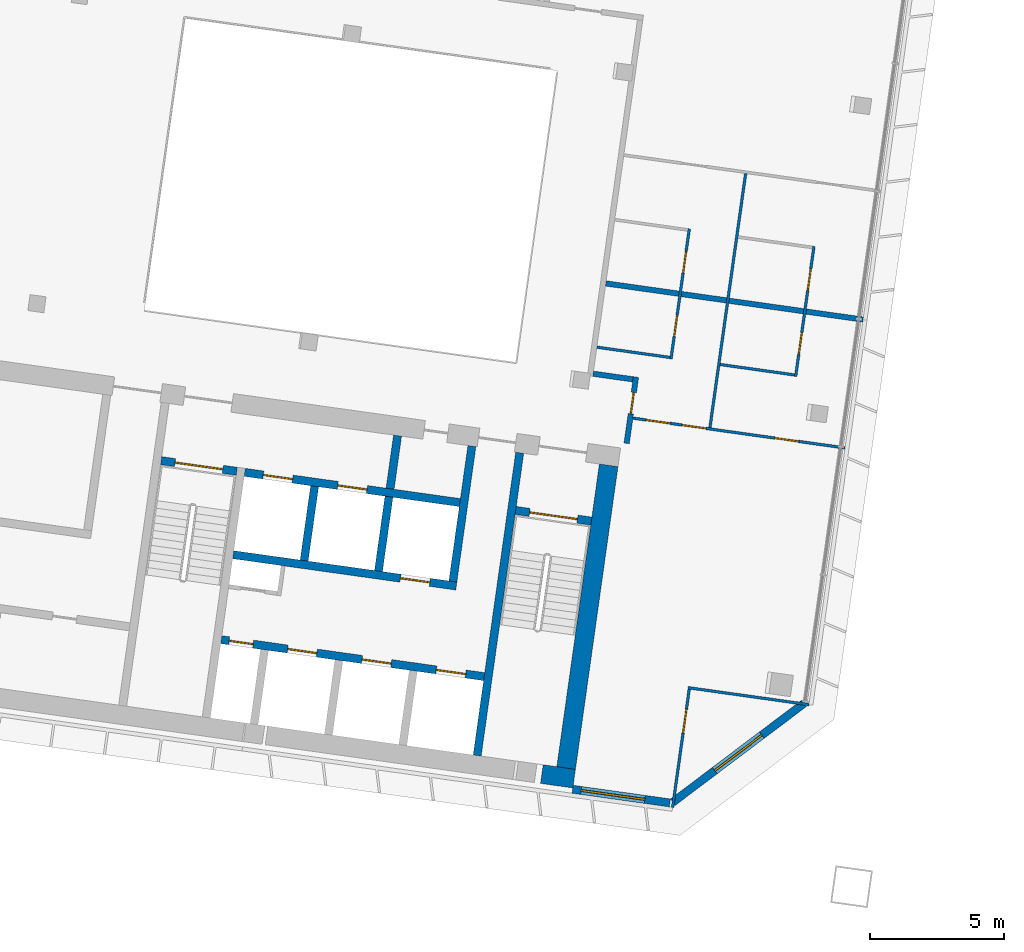
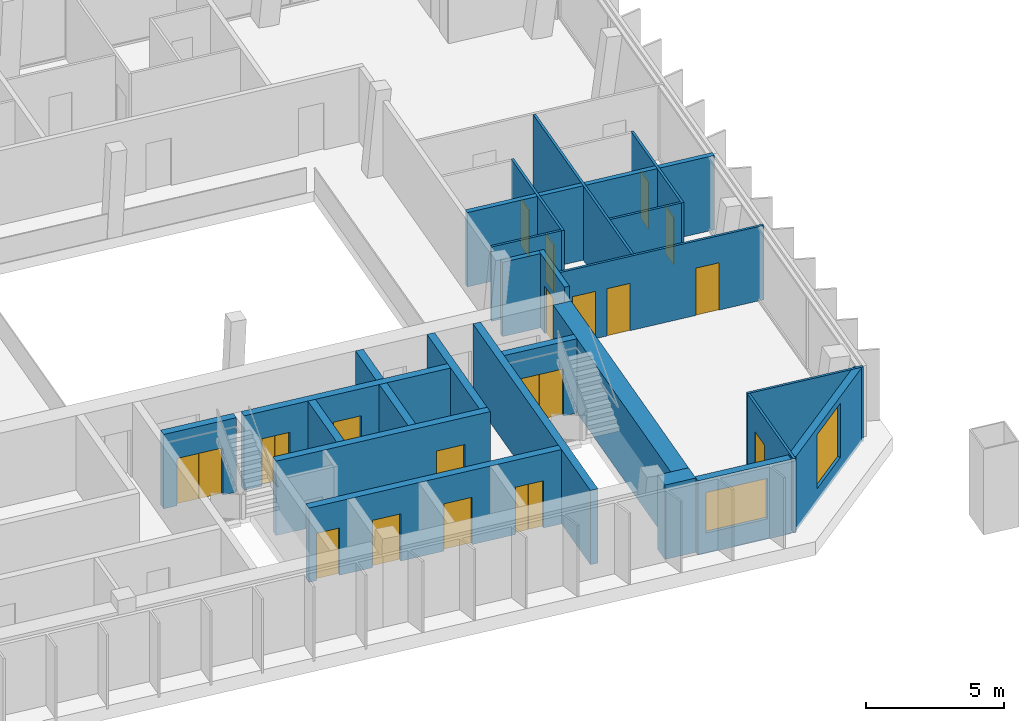
# One storey, part 17 of 29: 25 walls, 18 doors, 2 windows, 20 openings.
"""IFC4 building model written with IfcOpenShell, lengths in metres."""

from ifc_helpers import new_model, si_unit, direction, frame, frame_2d, origin, place, context, subcontext, project, spatial, rectangle, extrude, material, layer, layer_set, type_object, element, fill, save


model = new_model("IFC4")

# Units and contexts
model_context = context("Model", 3, precision=1e-05, world=origin(), true_north=direction((0.0, 1.0)))
body_context = subcontext(model_context, "Body", "Model", "MODEL_VIEW")
ifc_project = project(units=[si_unit("LENGTHUNIT", "METRE"), si_unit("AREAUNIT", "SQUARE_METRE"), si_unit("VOLUMEUNIT", "CUBIC_METRE"), si_unit("PLANEANGLEUNIT", "RADIAN"), si_unit("MASSUNIT", "GRAM", prefix="KILO")], contexts=[model_context])

# Site, building, storey
site_placement = place(None, origin())
site = spatial("IfcSite", under=ifc_project, at=site_placement, CompositionType="ELEMENT")
building_placement = place(site_placement, origin())
building = spatial("IfcBuilding", under=site, at=building_placement, Name="Mirante Cascada Hotel Towers", CompositionType="ELEMENT")
storey_placement = place(building_placement, frame((0.0, 0.0, 206.8)))
storey = spatial("IfcBuildingStorey", under=building, at=storey_placement, Name="L49", CompositionType="ELEMENT", Elevation=206.8)

# Walls
ifc_material_1 = material(Name="Fire-rated plasterboard on metal studs")
ifc_layer_1 = layer(ifc_material_1, 0.2)
ifc_layer_set_1 = layer_set([ifc_layer_1], Name="Compartment wall 200 EI 120")
wall_type_1 = type_object("IfcWallType", Name="Compartment wall 200 EI 120", PredefinedType="PARTITIONING", material=ifc_layer_set_1)
wall_1_placement = place(storey_placement, frame((-36.5138, -4.518, 0.0), z_axis=(0.0, 0.0, 1.0), x_axis=(0.9902735, -0.1391343, 0.0)))
element("IfcWall", 1, at=wall_1_placement, inside=storey, type_object=wall_type_1, Name="Wall 1-L49-03", PredefinedType="PARTITIONING", context=body_context, shape_type="SweptSolid", body=[
    extrude(rectangle(XDim=1.5, YDim=0.2, at=frame_2d((0.75, 0.0))), origin(), (0.0, 0.0, 1.0), 3.3),
])
wall_2_placement = place(storey_placement, frame((-26.4482, -2.4992, 0.0), z_axis=(0.0, 0.0, 1.0), x_axis=(-0.990267, 0.1391808, 0.0)))
element("IfcWall", 2, at=wall_2_placement, inside=storey, type_object=wall_type_1, Name="Wall 1-L49-08", PredefinedType="PARTITIONING", context=body_context, shape_type="SweptSolid", body=[
    extrude(rectangle(XDim=9.6867, YDim=0.2, at=frame_2d((4.8434, 0.0))), origin(), (0.0, 0.0, 1.0), 3.3),
])

# Wall, opening, door
wall_3_placement = place(storey_placement, frame((-35.2634, -7.1173, 0.0), z_axis=(0.0, 0.0, 1.0), x_axis=(0.1391586, 0.9902701, 0.0)))
wall_3 = element("IfcWall", 3, at=wall_3_placement, inside=storey, type_object=wall_type_1, Name="Wall 1-L49-32", PredefinedType="PARTITIONING", context=body_context, shape_type="SweptSolid", body=[
    extrude(rectangle(XDim=2.5, YDim=0.2, at=frame_2d((1.25, 0.0))), origin(), (0.0, 0.0, 1.0), 3.3),
])
opening_1_placement = place(wall_3_placement, frame((1.1167, 0.0, 0.0)))
opening_1 = element("IfcOpeningElement", 4, at=opening_1_placement, cuts=wall_3, Name="Opening D1-L49-25", PredefinedType="OPENING", context=body_context, shape_type="SweptSolid", body=[
    extrude(rectangle(XDim=0.8, YDim=2.1, at=frame_2d((0.4, 1.05))), frame((0.0, 0.1, 0.0), z_axis=(0.0, -1.0, 0.0), x_axis=(1.0, 0.0, 0.0)), (0.0, 0.0, 1.0), 0.2),
])
ifc_material_2 = material(Name="Fire-rated timber door leaf", Category="wood")
door_type_1 = type_object("IfcDoorType", Name="Bathroom door DG4 800x2100 EI 60", OperationType="SINGLE_SWING_LEFT", PredefinedType="DOOR", material=ifc_material_2)
door_1_placement = place(opening_1_placement, origin())
door_1 = element("IfcDoor", 5, at=door_1_placement, inside=storey, type_object=door_type_1, Name="Door D1-L49-25", OperationType="SINGLE_SWING_LEFT", OverallHeight=2.1, OverallWidth=0.8, PredefinedType="DOOR", context=body_context, shape_type="SweptSolid", body=[
    extrude(rectangle(XDim=0.8, YDim=2.1, at=frame_2d((0.4, 1.05))), frame((0.0, 0.025, 0.0), z_axis=(0.0, -1.0, 0.0), x_axis=(1.0, 0.0, 0.0)), (0.0, 0.0, 1.0), 0.05),
])
fill(opening_1, door_1)

# Walls
ifc_material_3 = material(Name="Masonry block", Category="masonry")
ifc_layer_2 = layer(ifc_material_3, 0.3)
ifc_layer_set_2 = layer_set([ifc_layer_2], Name="Core wall 300 block EI 120")
wall_type_2 = type_object("IfcWallType", Name="Core wall 300 block EI 120", PredefinedType="PARTITIONING", material=ifc_layer_set_2)
wall_4_placement = place(storey_placement, frame((-44.0843, -8.8061, 0.0), z_axis=(0.0, 0.0, 1.0), x_axis=(0.1391951, 0.990265, 0.0)))
element("IfcWall", 6, at=wall_4_placement, inside=storey, type_object=wall_type_2, Name="Core wall partition T1 L49 1", PredefinedType="PARTITIONING", context=body_context, shape_type="SweptSolid", body=[
    extrude(rectangle(XDim=2.0001, YDim=0.3, at=frame_2d((1.0001, 0.0))), origin(), (0.0, 0.0, 1.0), 3.3),
])
ifc_material_4 = material(Name="Plasterboard on metal studs")
ifc_layer_3 = layer(ifc_material_4, 0.1)
ifc_layer_set_3 = layer_set([ifc_layer_3], Name="Partition 100")
wall_type_3 = type_object("IfcWallType", Name="Partition 100", PredefinedType="PARTITIONING", material=ifc_layer_set_3)
wall_5_placement = place(storey_placement, frame((-32.9719, -16.2248, 0.0), z_axis=(0.0, 0.0, 1.0), x_axis=(0.9902661, -0.1391871, 0.0)))
element("IfcWall", 7, at=wall_5_placement, inside=storey, type_object=wall_type_3, Name="Wall 1-L49-01", PredefinedType="PARTITIONING", context=body_context, shape_type="SweptSolid", body=[
    extrude(rectangle(XDim=4.55, YDim=0.1, at=frame_2d((2.275, 0.0))), origin(), (0.0, 0.0, 1.0), 3.3),
])

# Wall, openings, doors
wall_6_placement = place(storey_placement, frame((-27.1209, -7.2854, 0.0), z_axis=(0.0, 0.0, 1.0), x_axis=(-0.9902685, 0.1391702, 0.0)))
wall_6 = element("IfcWall", 8, at=wall_6_placement, inside=storey, type_object=wall_type_3, Name="Wall 1-L49-02", PredefinedType="PARTITIONING", context=body_context, shape_type="SweptSolid", body=[
    extrude(rectangle(XDim=7.9866, YDim=0.1, at=frame_2d((3.9933, 0.0))), origin(), (0.0, 0.0, 1.0), 3.3),
])
opening_2_placement = place(wall_6_placement, frame((1.75, 0.0, 0.0)))
opening_2 = element("IfcOpeningElement", 9, at=opening_2_placement, cuts=wall_6, Name="Opening D1-L49-01", PredefinedType="OPENING", context=body_context, shape_type="SweptSolid", body=[
    extrude(rectangle(XDim=0.9, YDim=2.1, at=frame_2d((0.45, 1.05))), frame((0.0, 0.05, 0.0), z_axis=(0.0, -1.0, 0.0), x_axis=(1.0, 0.0, 0.0)), (0.0, 0.0, 1.0), 0.1),
])
opening_3_placement = place(wall_6_placement, frame((5.2434, 0.0, 0.0)))
opening_3 = element("IfcOpeningElement", 10, at=opening_3_placement, cuts=wall_6, Name="Opening D1-L49-02", PredefinedType="OPENING", context=body_context, shape_type="SweptSolid", body=[
    extrude(rectangle(XDim=0.9, YDim=2.1, at=frame_2d((0.45, 1.05))), frame((0.0, 0.05, 0.0), z_axis=(0.0, -1.0, 0.0), x_axis=(1.0, 0.0, 0.0)), (0.0, 0.0, 1.0), 0.1),
])
opening_4_placement = place(wall_6_placement, frame((6.59, 0.0, 0.0)))
opening_4 = element("IfcOpeningElement", 11, at=opening_4_placement, cuts=wall_6, Name="Opening D1-L49-03", PredefinedType="OPENING", context=body_context, shape_type="SweptSolid", body=[
    extrude(rectangle(XDim=0.9, YDim=2.1, at=frame_2d((0.45, 1.05))), frame((0.0, 0.05, 0.0), z_axis=(0.0, -1.0, 0.0), x_axis=(1.0, 0.0, 0.0)), (0.0, 0.0, 1.0), 0.1),
])
ifc_material_5 = material(Name="Timber door leaf", Category="wood")
door_type_2 = type_object("IfcDoorType", Name="Room door DG3 900x2100", OperationType="SINGLE_SWING_LEFT", PredefinedType="DOOR", material=ifc_material_5)
door_2_placement = place(opening_2_placement, origin())
door_2 = element("IfcDoor", 12, at=door_2_placement, inside=storey, type_object=door_type_2, Name="Door D1-L49-01", OperationType="SINGLE_SWING_LEFT", OverallHeight=2.1, OverallWidth=0.9, PredefinedType="DOOR", context=body_context, shape_type="SweptSolid", body=[
    extrude(rectangle(XDim=0.9, YDim=2.1, at=frame_2d((0.45, 1.05))), frame((0.0, 0.025, 0.0), z_axis=(0.0, -1.0, 0.0), x_axis=(1.0, 0.0, 0.0)), (0.0, 0.0, 1.0), 0.05),
])
fill(opening_2, door_2)
door_3_placement = place(opening_3_placement, origin())
door_3 = element("IfcDoor", 13, at=door_3_placement, inside=storey, type_object=door_type_2, Name="Door D1-L49-02", OperationType="SINGLE_SWING_LEFT", OverallHeight=2.1, OverallWidth=0.9, PredefinedType="DOOR", context=body_context, shape_type="SweptSolid", body=[
    extrude(rectangle(XDim=0.9, YDim=2.1, at=frame_2d((0.45, 1.05))), frame((0.0, 0.025, 0.0), z_axis=(0.0, -1.0, 0.0), x_axis=(1.0, 0.0, 0.0)), (0.0, 0.0, 1.0), 0.05),
])
fill(opening_3, door_3)
door_4_placement = place(opening_4_placement, origin())
door_4 = element("IfcDoor", 14, at=door_4_placement, inside=storey, type_object=door_type_2, Name="Door D1-L49-03", OperationType="SINGLE_SWING_LEFT", OverallHeight=2.1, OverallWidth=0.9, PredefinedType="DOOR", context=body_context, shape_type="SweptSolid", body=[
    extrude(rectangle(XDim=0.9, YDim=2.1, at=frame_2d((0.45, 1.05))), frame((0.0, 0.025, 0.0), z_axis=(0.0, -1.0, 0.0), x_axis=(1.0, 0.0, 0.0)), (0.0, 0.0, 1.0), 0.05),
])
fill(opening_4, door_4)

# Walls
wall_7_placement = place(storey_placement, frame((-29.0038, -4.5636, 0.0), z_axis=(0.0, 0.0, 1.0), x_axis=(-0.990267, 0.139181, 0.0)))
element("IfcWall", 15, at=wall_7_placement, inside=storey, type_object=wall_type_3, Name="Wall 1-L49-06", PredefinedType="PARTITIONING", context=body_context, shape_type="SweptSolid", body=[
    extrude(rectangle(XDim=2.8, YDim=0.1, at=frame_2d((1.4, 0.0))), origin(), (0.0, 0.0, 1.0), 3.3),
])
wall_8_placement = place(storey_placement, frame((-36.3747, -3.5277, 0.0), z_axis=(0.0, 0.0, 1.0), x_axis=(0.9902698, -0.1391607, 0.0)))
element("IfcWall", 16, at=wall_8_placement, inside=storey, type_object=wall_type_3, Name="Wall 1-L49-07", PredefinedType="PARTITIONING", context=body_context, shape_type="SweptSolid", body=[
    extrude(rectangle(XDim=2.7501, YDim=0.1, at=frame_2d((1.3751, 0.0))), origin(), (0.0, 0.0, 1.0), 3.3),
])

# Wall, openings, doors
wall_9_placement = place(storey_placement, frame((-28.2793, 0.2322, 0.0), z_axis=(0.0, 0.0, 1.0), x_axis=(-0.1391638, -0.9902694, 0.0)))
wall_9 = element("IfcWall", 17, at=wall_9_placement, inside=storey, type_object=wall_type_3, Name="Wall 1-L49-27", PredefinedType="PARTITIONING", context=body_context, shape_type="SweptSolid", body=[
    extrude(rectangle(XDim=4.9, YDim=0.1, at=frame_2d((2.45, 0.0))), origin(), (0.0, 0.0, 1.0), 3.3),
])
opening_5_placement = place(wall_9_placement, frame((3.25, 0.0, 0.0)))
opening_5 = element("IfcOpeningElement", 18, at=opening_5_placement, cuts=wall_9, Name="Opening D1-L49-19", PredefinedType="OPENING", context=body_context, shape_type="SweptSolid", body=[
    extrude(rectangle(XDim=0.8, YDim=2.1, at=frame_2d((0.4, 1.05))), frame((0.0, 0.05, 0.0), z_axis=(0.0, -1.0, 0.0), x_axis=(1.0, 0.0, 0.0)), (0.0, 0.0, 1.0), 0.1),
])
opening_6_placement = place(wall_9_placement, frame((0.85, 0.0, 0.0)))
opening_6 = element("IfcOpeningElement", 19, at=opening_6_placement, cuts=wall_9, Name="Opening D1-L49-20", PredefinedType="OPENING", context=body_context, shape_type="SweptSolid", body=[
    extrude(rectangle(XDim=0.8, YDim=2.1, at=frame_2d((0.4, 1.05))), frame((0.0, 0.05, 0.0), z_axis=(0.0, -1.0, 0.0), x_axis=(1.0, 0.0, 0.0)), (0.0, 0.0, 1.0), 0.1),
])
ifc_material_6 = material(Name="Timber door leaf", Category="wood")
door_type_3 = type_object("IfcDoorType", Name="Bathroom door DG4 800x2100", OperationType="SINGLE_SWING_LEFT", PredefinedType="DOOR", material=ifc_material_6)
door_5_placement = place(opening_5_placement, frame((0.8, 0.0, 0.0), z_axis=(0.0, 0.0, 1.0), x_axis=(-1.0, 0.0, 0.0)))
door_5 = element("IfcDoor", 20, at=door_5_placement, inside=storey, type_object=door_type_3, Name="Door D1-L49-19", OperationType="SINGLE_SWING_RIGHT", OverallHeight=2.1, OverallWidth=0.8, PredefinedType="DOOR", context=body_context, shape_type="SweptSolid", body=[
    extrude(rectangle(XDim=0.8, YDim=2.1, at=frame_2d((0.4, 1.05))), frame((0.0, 0.025, 0.0), z_axis=(0.0, -1.0, 0.0), x_axis=(1.0, 0.0, 0.0)), (0.0, 0.0, 1.0), 0.05),
])
fill(opening_5, door_5)
door_6_placement = place(opening_6_placement, frame((0.8, 0.0, 0.0), z_axis=(0.0, 0.0, 1.0), x_axis=(-1.0, 0.0, 0.0)))
door_6 = element("IfcDoor", 21, at=door_6_placement, inside=storey, type_object=door_type_3, Name="Door D1-L49-20", OperationType="SINGLE_SWING_RIGHT", OverallHeight=2.1, OverallWidth=0.8, PredefinedType="DOOR", context=body_context, shape_type="SweptSolid", body=[
    extrude(rectangle(XDim=0.8, YDim=2.1, at=frame_2d((0.4, 1.05))), frame((0.0, 0.025, 0.0), z_axis=(0.0, -1.0, 0.0), x_axis=(1.0, 0.0, 0.0)), (0.0, 0.0, 1.0), 0.05),
])
fill(opening_6, door_6)

# Wall, opening, door
wall_10_placement = place(storey_placement, frame((-33.5487, -20.688, 0.0), z_axis=(0.0, 0.0, 1.0), x_axis=(0.1391684, 0.9902687, 0.0)))
wall_10 = element("IfcWall", 22, at=wall_10_placement, inside=storey, type_object=wall_type_3, Name="Wall 1-L49-28", PredefinedType="PARTITIONING", context=body_context, shape_type="SweptSolid", body=[
    extrude(rectangle(XDim=4.45, YDim=0.1, at=frame_2d((2.225, 0.0))), origin(), (0.0, 0.0, 1.0), 3.3),
])
opening_7_placement = place(wall_10_placement, frame((2.8, 0.0, 0.0)))
opening_7 = element("IfcOpeningElement", 23, at=opening_7_placement, cuts=wall_10, Name="Opening D1-L49-21", PredefinedType="OPENING", context=body_context, shape_type="SweptSolid", body=[
    extrude(rectangle(XDim=0.9, YDim=2.1, at=frame_2d((0.45, 1.05))), frame((0.0, 0.05, 0.0), z_axis=(0.0, -1.0, 0.0), x_axis=(1.0, 0.0, 0.0)), (0.0, 0.0, 1.0), 0.1),
])
door_7_placement = place(opening_7_placement, frame((0.9, 0.0, 0.0), z_axis=(0.0, 0.0, 1.0), x_axis=(-1.0, 0.0, 0.0)))
door_7 = element("IfcDoor", 24, at=door_7_placement, inside=storey, type_object=door_type_2, Name="Door D1-L49-21", OperationType="SINGLE_SWING_RIGHT", OverallHeight=2.1, OverallWidth=0.9, PredefinedType="DOOR", context=body_context, shape_type="SweptSolid", body=[
    extrude(rectangle(XDim=0.9, YDim=2.1, at=frame_2d((0.45, 1.05))), frame((0.0, 0.025, 0.0), z_axis=(0.0, -1.0, 0.0), x_axis=(1.0, 0.0, 0.0)), (0.0, 0.0, 1.0), 0.05),
])
fill(opening_7, door_7)

# Wall
wall_11_placement = place(storey_placement, frame((-32.1577, -6.5271, 0.0), z_axis=(0.0, 0.0, 1.0), x_axis=(0.1391717, 0.9902683, 0.0)))
element("IfcWall", 25, at=wall_11_placement, inside=storey, type_object=wall_type_3, Name="Wall 1-L49-30", PredefinedType="PARTITIONING", context=body_context, shape_type="SweptSolid", body=[
    extrude(rectangle(XDim=9.5666, YDim=0.1, at=frame_2d((4.7833, 0.0))), origin(), (0.0, 0.0, 1.0), 3.3),
])

# Wall, openings, doors
wall_12_placement = place(storey_placement, frame((-32.9269, 0.8854, 0.0), z_axis=(0.0, 0.0, 1.0), x_axis=(-0.1391838, -0.9902666, 0.0)))
wall_12 = element("IfcWall", 26, at=wall_12_placement, inside=storey, type_object=wall_type_3, Name="Wall 1-L49-31", PredefinedType="PARTITIONING", context=body_context, shape_type="SweptSolid", body=[
    extrude(rectangle(XDim=4.9, YDim=0.1, at=frame_2d((2.45, 0.0))), origin(), (0.0, 0.0, 1.0), 3.3),
])
opening_8_placement = place(wall_12_placement, frame((3.25, 0.0, 0.0)))
opening_8 = element("IfcOpeningElement", 27, at=opening_8_placement, cuts=wall_12, Name="Opening D1-L49-23", PredefinedType="OPENING", context=body_context, shape_type="SweptSolid", body=[
    extrude(rectangle(XDim=0.8, YDim=2.1, at=frame_2d((0.4, 1.05))), frame((0.0, 0.05, 0.0), z_axis=(0.0, -1.0, 0.0), x_axis=(1.0, 0.0, 0.0)), (0.0, 0.0, 1.0), 0.1),
])
opening_9_placement = place(wall_12_placement, frame((0.85, 0.0, 0.0)))
opening_9 = element("IfcOpeningElement", 28, at=opening_9_placement, cuts=wall_12, Name="Opening D1-L49-24", PredefinedType="OPENING", context=body_context, shape_type="SweptSolid", body=[
    extrude(rectangle(XDim=0.8, YDim=2.1, at=frame_2d((0.4, 1.05))), frame((0.0, 0.05, 0.0), z_axis=(0.0, -1.0, 0.0), x_axis=(1.0, 0.0, 0.0)), (0.0, 0.0, 1.0), 0.1),
])
door_8_placement = place(opening_8_placement, frame((0.8, 0.0, 0.0), z_axis=(0.0, 0.0, 1.0), x_axis=(-1.0, 0.0, 0.0)))
door_8 = element("IfcDoor", 29, at=door_8_placement, inside=storey, type_object=door_type_3, Name="Door D1-L49-23", OperationType="SINGLE_SWING_RIGHT", OverallHeight=2.1, OverallWidth=0.8, PredefinedType="DOOR", context=body_context, shape_type="SweptSolid", body=[
    extrude(rectangle(XDim=0.8, YDim=2.1, at=frame_2d((0.4, 1.05))), frame((0.0, 0.025, 0.0), z_axis=(0.0, -1.0, 0.0), x_axis=(1.0, 0.0, 0.0)), (0.0, 0.0, 1.0), 0.05),
])
fill(opening_8, door_8)
door_9_placement = place(opening_9_placement, frame((0.8, 0.0, 0.0), z_axis=(0.0, 0.0, 1.0), x_axis=(-1.0, 0.0, 0.0)))
door_9 = element("IfcDoor", 30, at=door_9_placement, inside=storey, type_object=door_type_3, Name="Door D1-L49-24", OperationType="SINGLE_SWING_RIGHT", OverallHeight=2.1, OverallWidth=0.8, PredefinedType="DOOR", context=body_context, shape_type="SweptSolid", body=[
    extrude(rectangle(XDim=0.8, YDim=2.1, at=frame_2d((0.4, 1.05))), frame((0.0, 0.025, 0.0), z_axis=(0.0, -1.0, 0.0), x_axis=(1.0, 0.0, 0.0)), (0.0, 0.0, 1.0), 0.05),
])
fill(opening_9, door_9)

# Wall, opening, window
ifc_material_7 = material(Name="Precast concrete C40/50", Category="concrete")
ifc_layer_4 = layer(ifc_material_7, 0.3)
ifc_layer_set_4 = layer_set([ifc_layer_4], Name="Precast concrete C40/50 cladding wall 300")
wall_type_4 = type_object("IfcWallType", Name="Precast concrete C40/50 cladding wall 300", PredefinedType="STANDARD", material=ifc_layer_set_4)
wall_13_placement = place(storey_placement, frame((-33.6508, -20.5222, 0.0), z_axis=(0.0, 0.0, 1.0), x_axis=(-0.9902653, 0.1391925, 0.0)))
wall_13 = element("IfcWall", 31, at=wall_13_placement, inside=storey, type_object=wall_type_4, Name="Rear cladding wall T1 L49 1", PredefinedType="STANDARD", context=body_context, shape_type="SweptSolid", body=[
    extrude(rectangle(XDim=3.6626, YDim=0.3, at=frame_2d((1.8313, 0.0))), origin(), (0.0, 0.0, 1.0), 3.3),
])
opening_10_placement = place(wall_13_placement, frame((0.9408, 0.0, 0.9)))
opening_10 = element("IfcOpeningElement", 32, at=opening_10_placement, cuts=wall_13, Name="Opening W1-49-01", PredefinedType="OPENING", context=body_context, shape_type="SweptSolid", body=[
    extrude(rectangle(XDim=2.4, YDim=1.8, at=frame_2d((1.2, 0.9))), frame((0.0, 0.15, 0.0), z_axis=(0.0, -1.0, 0.0), x_axis=(1.0, 0.0, 0.0)), (0.0, 0.0, 1.0), 0.3),
])
ifc_material_8 = material(Name="Aluminium frame with clear double glazing", Category="aluminium")
window_type_1 = type_object("IfcWindowType", Name="Punched window 2400x1800", PartitioningType="DOUBLE_PANEL_VERTICAL", PredefinedType="WINDOW", material=ifc_material_8)
window_1_placement = place(opening_10_placement, origin())
window_1 = element("IfcWindow", 33, at=window_1_placement, inside=storey, type_object=window_type_1, Name="Window W1-49-01", OverallHeight=1.8, OverallWidth=2.4, PartitioningType="SINGLE_PANEL", PredefinedType="WINDOW", context=body_context, shape_type="SweptSolid", body=[
    extrude(rectangle(XDim=2.4, YDim=1.8, at=frame_2d((1.2, 0.9))), frame((0.0, 0.03, 0.0), z_axis=(0.0, -1.0, 0.0), x_axis=(1.0, 0.0, 0.0)), (0.0, 0.0, 1.0), 0.06),
])
fill(opening_10, window_1)

wall_14_placement = place(storey_placement, frame((-28.6557, -16.813, 0.0), z_axis=(0.0, 0.0, 1.0), x_axis=(-0.7986362, -0.6018141, 0.0)))
wall_14 = element("IfcWall", 34, at=wall_14_placement, inside=storey, type_object=wall_type_4, Name="Corner cladding wall T1 L49 inner rear", PredefinedType="STANDARD", context=body_context, shape_type="SweptSolid", body=[
    extrude(rectangle(XDim=6.1157, YDim=0.3, at=frame_2d((3.0578, 0.0))), origin(), (0.0, 0.0, 1.0), 3.3),
])
opening_11_placement = place(wall_14_placement, frame((1.9578, 0.0, 0.6)))
opening_11 = element("IfcOpeningElement", 35, at=opening_11_placement, cuts=wall_14, Name="Opening W1-49-05", PredefinedType="OPENING", context=body_context, shape_type="SweptSolid", body=[
    extrude(rectangle(XDim=2.2, YDim=2.4, at=frame_2d((1.1, 1.2))), frame((0.0, 0.15, 0.0), z_axis=(0.0, -1.0, 0.0), x_axis=(1.0, 0.0, 0.0)), (0.0, 0.0, 1.0), 0.3),
])
ifc_material_9 = material(Name="Aluminium frame with clear double glazing", Category="aluminium")
window_type_2 = type_object("IfcWindowType", Name="Corner suite window 2200x2400", PartitioningType="DOUBLE_PANEL_VERTICAL", PredefinedType="WINDOW", material=ifc_material_9)
window_2_placement = place(opening_11_placement, origin())
window_2 = element("IfcWindow", 36, at=window_2_placement, inside=storey, type_object=window_type_2, Name="Window W1-49-05", OverallHeight=2.4, OverallWidth=2.2, PartitioningType="SINGLE_PANEL", PredefinedType="WINDOW", context=body_context, shape_type="SweptSolid", body=[
    extrude(rectangle(XDim=2.2, YDim=2.4, at=frame_2d((1.1, 1.2))), frame((0.0, 0.03, 0.0), z_axis=(0.0, -1.0, 0.0), x_axis=(1.0, 0.0, 0.0)), (0.0, 0.0, 1.0), 0.06),
])
fill(opening_11, window_2)

# Wall
ifc_material_10 = material(Name="Concrete C50/60", Category="concrete")
ifc_layer_5 = layer(ifc_material_10, 0.3)
ifc_layer_set_5 = layer_set([ifc_layer_5], Name="RC core wall 300 C50/60")
wall_type_5 = type_object("IfcWallType", Name="RC core wall 300 C50/60", PredefinedType="SHEAR", material=ifc_layer_set_5)
wall_15_placement = place(storey_placement, frame((-40.8373, -18.7548, 0.0), z_axis=(0.0, 0.0, 1.0), x_axis=(0.1391749, 0.9902678, 0.0)))
element("IfcWall", 37, at=wall_15_placement, inside=storey, type_object=wall_type_5, Name="Core wall T1:L49:5", PredefinedType="SHEAR", context=body_context, shape_type="SweptSolid", body=[
    extrude(rectangle(XDim=11.4, YDim=0.3, at=frame_2d((5.7, 0.0))), origin(), (0.0, 0.0, 1.0), 3.3),
])

# Wall, opening, door
wall_16_placement = place(storey_placement, frame((-36.5791, -10.0123, 0.0), z_axis=(0.0, 0.0, 1.0), x_axis=(-0.9902704, 0.1391564, 0.0)))
wall_16 = element("IfcWall", 38, at=wall_16_placement, inside=storey, type_object=wall_type_5, Name="Core wall T1:L49:8", PredefinedType="SHEAR", context=body_context, shape_type="SweptSolid", body=[
    extrude(rectangle(XDim=2.85, YDim=0.3, at=frame_2d((1.425, 0.0))), origin(), (0.0, 0.0, 1.0), 3.3),
])
opening_12_placement = place(wall_16_placement, frame((0.525, 0.0, 0.0)))
opening_12 = element("IfcOpeningElement", 39, at=opening_12_placement, cuts=wall_16, Name="Opening D1-49-C07", PredefinedType="OPENING", context=body_context, shape_type="SweptSolid", body=[
    extrude(rectangle(XDim=1.8, YDim=2.1, at=frame_2d((0.9, 1.05))), frame((0.0, 0.15, 0.0), z_axis=(0.0, -1.0, 0.0), x_axis=(1.0, 0.0, 0.0)), (0.0, 0.0, 1.0), 0.3),
])
ifc_material_11 = material(Name="Hollow metal fire door leaf")
door_type_4 = type_object("IfcDoorType", Name="Double fire door 1800x2100 FD60", OperationType="DOUBLE_DOOR_SINGLE_SWING", PredefinedType="DOOR", material=ifc_material_11)
door_10_placement = place(opening_12_placement, origin())
door_10 = element("IfcDoor", 40, at=door_10_placement, inside=storey, type_object=door_type_4, Name="Stair door T1 L49 7", OperationType="DOUBLE_DOOR_SINGLE_SWING", OverallHeight=2.1, OverallWidth=1.8, PredefinedType="DOOR", context=body_context, shape_type="SweptSolid", body=[
    extrude(rectangle(XDim=0.895, YDim=2.1, at=frame_2d((0.4475, 1.05))), frame((0.0, 0.025, 0.0), z_axis=(0.0, -1.0, 0.0), x_axis=(1.0, 0.0, 0.0)), (0.0, 0.0, 1.0), 0.05),
    extrude(rectangle(XDim=0.895, YDim=2.1, at=frame_2d((1.3525, 1.05))), frame((0.0, 0.025, 0.0), z_axis=(0.0, -1.0, 0.0), x_axis=(1.0, 0.0, 0.0)), (0.0, 0.0, 1.0), 0.05),
])
fill(opening_12, door_10)

wall_17_placement = place(storey_placement, frame((-49.7992, -8.1544, 0.0), z_axis=(0.0, 0.0, 1.0), x_axis=(-0.9902656, 0.1391909, 0.0)))
wall_17 = element("IfcWall", 41, at=wall_17_placement, inside=storey, type_object=wall_type_5, Name="Core wall T1:L49:9", PredefinedType="SHEAR", context=body_context, shape_type="SweptSolid", body=[
    extrude(rectangle(XDim=2.85, YDim=0.3, at=frame_2d((1.425, 0.0))), origin(), (0.0, 0.0, 1.0), 3.3),
])
opening_13_placement = place(wall_17_placement, frame((0.525, 0.0, 0.0)))
opening_13 = element("IfcOpeningElement", 42, at=opening_13_placement, cuts=wall_17, Name="Opening D1-49-C09", PredefinedType="OPENING", context=body_context, shape_type="SweptSolid", body=[
    extrude(rectangle(XDim=1.8, YDim=2.1, at=frame_2d((0.9, 1.05))), frame((0.0, 0.15, 0.0), z_axis=(0.0, -1.0, 0.0), x_axis=(1.0, 0.0, 0.0)), (0.0, 0.0, 1.0), 0.3),
])
door_11_placement = place(opening_13_placement, origin())
door_11 = element("IfcDoor", 43, at=door_11_placement, inside=storey, type_object=door_type_4, Name="Stair door T1 L49 9", OperationType="DOUBLE_DOOR_SINGLE_SWING", OverallHeight=2.1, OverallWidth=1.8, PredefinedType="DOOR", context=body_context, shape_type="SweptSolid", body=[
    extrude(rectangle(XDim=0.895, YDim=2.1, at=frame_2d((0.4475, 1.05))), frame((0.0, 0.025, 0.0), z_axis=(0.0, -1.0, 0.0), x_axis=(1.0, 0.0, 0.0)), (0.0, 0.0, 1.0), 0.05),
    extrude(rectangle(XDim=0.895, YDim=2.1, at=frame_2d((1.3525, 1.05))), frame((0.0, 0.025, 0.0), z_axis=(0.0, -1.0, 0.0), x_axis=(1.0, 0.0, 0.0)), (0.0, 0.0, 1.0), 0.05),
])
fill(opening_13, door_11)

# Wall, openings, doors
wall_18_placement = place(storey_placement, frame((-40.5753, -15.8126, 0.0), z_axis=(0.0, 0.0, 1.0), x_axis=(-0.9902682, 0.1391725, 0.0)))
wall_18 = element("IfcWall", 44, at=wall_18_placement, inside=storey, type_object=wall_type_5, Name="Core wall T1:L49:10", PredefinedType="SHEAR", context=body_context, shape_type="SweptSolid", body=[
    extrude(rectangle(XDim=9.8999, YDim=0.3, at=frame_2d((4.95, 0.0))), origin(), (0.0, 0.0, 1.0), 3.3),
])
opening_14_placement = place(wall_18_placement, frame((0.7, 0.0, 0.0)))
opening_14 = element("IfcOpeningElement", 45, at=opening_14_placement, cuts=wall_18, Name="Opening LD", PredefinedType="OPENING", context=body_context, shape_type="SweptSolid", body=[
    extrude(rectangle(XDim=1.1, YDim=2.1, at=frame_2d((0.55, 1.05))), frame((0.0, 0.15, 0.0), z_axis=(0.0, -1.0, 0.0), x_axis=(1.0, 0.0, 0.0)), (0.0, 0.0, 1.0), 0.3),
])
opening_15_placement = place(wall_18_placement, frame((3.5, 0.0, 0.0)))
opening_15 = element("IfcOpeningElement", 46, at=opening_15_placement, cuts=wall_18, Name="Opening LD", PredefinedType="OPENING", context=body_context, shape_type="SweptSolid", body=[
    extrude(rectangle(XDim=1.1, YDim=2.1, at=frame_2d((0.55, 1.05))), frame((0.0, 0.15, 0.0), z_axis=(0.0, -1.0, 0.0), x_axis=(1.0, 0.0, 0.0)), (0.0, 0.0, 1.0), 0.3),
])
opening_16_placement = place(wall_18_placement, frame((6.3, 0.0, 0.0)))
opening_16 = element("IfcOpeningElement", 47, at=opening_16_placement, cuts=wall_18, Name="Opening LD", PredefinedType="OPENING", context=body_context, shape_type="SweptSolid", body=[
    extrude(rectangle(XDim=1.1, YDim=2.1, at=frame_2d((0.55, 1.05))), frame((0.0, 0.15, 0.0), z_axis=(0.0, -1.0, 0.0), x_axis=(1.0, 0.0, 0.0)), (0.0, 0.0, 1.0), 0.3),
])
opening_17_placement = place(wall_18_placement, frame((8.7, 0.0, 0.0)))
opening_17 = element("IfcOpeningElement", 48, at=opening_17_placement, cuts=wall_18, Name="Opening D1-49-C14", PredefinedType="OPENING", context=body_context, shape_type="SweptSolid", body=[
    extrude(rectangle(XDim=0.9, YDim=2.1, at=frame_2d((0.45, 1.05))), frame((0.0, 0.15, 0.0), z_axis=(0.0, -1.0, 0.0), x_axis=(1.0, 0.0, 0.0)), (0.0, 0.0, 1.0), 0.3),
])
ifc_material_12 = material(Name="Hollow metal fire door leaf")
door_type_5 = type_object("IfcDoorType", Name="Fire door 900x2100 FD60", OperationType="NOTDEFINED", PredefinedType="DOOR", material=ifc_material_12)
door_12_placement = place(opening_17_placement, origin())
door_12 = element("IfcDoor", 49, at=door_12_placement, inside=storey, type_object=door_type_5, Name="Riser door T1 L49 14", OperationType="SINGLE_SWING_LEFT", OverallHeight=2.1, OverallWidth=0.9, PredefinedType="DOOR", context=body_context, shape_type="SweptSolid", body=[
    extrude(rectangle(XDim=0.9, YDim=2.1, at=frame_2d((0.45, 1.05))), frame((0.0, 0.025, 0.0), z_axis=(0.0, -1.0, 0.0), x_axis=(1.0, 0.0, 0.0)), (0.0, 0.0, 1.0), 0.05),
])
fill(opening_17, door_12)
ifc_material_13 = material(Name="Stainless steel", Category="steel")
door_type_6 = type_object("IfcDoorType", Name="Lift landing door 1100x2100 EI 120", OperationType="DOUBLE_DOOR_SLIDING", PredefinedType="DOOR", material=ifc_material_13)
door_13_placement = place(opening_14_placement, origin())
door_13 = element("IfcDoor", 50, at=door_13_placement, inside=storey, type_object=door_type_6, Name="Lift landing door HR1-1 L49", OperationType="DOUBLE_DOOR_SLIDING", OverallHeight=2.1, OverallWidth=1.1, PredefinedType="DOOR", context=body_context, shape_type="SweptSolid", body=[
    extrude(rectangle(XDim=0.545, YDim=2.1, at=frame_2d((0.2725, 1.05))), frame((0.0, 0.025, 0.0), z_axis=(0.0, -1.0, 0.0), x_axis=(1.0, 0.0, 0.0)), (0.0, 0.0, 1.0), 0.05),
    extrude(rectangle(XDim=0.545, YDim=2.1, at=frame_2d((0.8275, 1.05))), frame((0.0, 0.025, 0.0), z_axis=(0.0, -1.0, 0.0), x_axis=(1.0, 0.0, 0.0)), (0.0, 0.0, 1.0), 0.05),
])
fill(opening_14, door_13)
door_14_placement = place(opening_15_placement, origin())
door_14 = element("IfcDoor", 51, at=door_14_placement, inside=storey, type_object=door_type_6, Name="Lift landing door HR1-2 L49", OperationType="DOUBLE_DOOR_SLIDING", OverallHeight=2.1, OverallWidth=1.1, PredefinedType="DOOR", context=body_context, shape_type="SweptSolid", body=[
    extrude(rectangle(XDim=0.545, YDim=2.1, at=frame_2d((0.2725, 1.05))), frame((0.0, 0.025, 0.0), z_axis=(0.0, -1.0, 0.0), x_axis=(1.0, 0.0, 0.0)), (0.0, 0.0, 1.0), 0.05),
    extrude(rectangle(XDim=0.545, YDim=2.1, at=frame_2d((0.8275, 1.05))), frame((0.0, 0.025, 0.0), z_axis=(0.0, -1.0, 0.0), x_axis=(1.0, 0.0, 0.0)), (0.0, 0.0, 1.0), 0.05),
])
fill(opening_15, door_14)
door_15_placement = place(opening_16_placement, origin())
door_15 = element("IfcDoor", 52, at=door_15_placement, inside=storey, type_object=door_type_6, Name="Lift landing door HR1-3 L49", OperationType="DOUBLE_DOOR_SLIDING", OverallHeight=2.1, OverallWidth=1.1, PredefinedType="DOOR", context=body_context, shape_type="SweptSolid", body=[
    extrude(rectangle(XDim=0.545, YDim=2.1, at=frame_2d((0.2725, 1.05))), frame((0.0, 0.025, 0.0), z_axis=(0.0, -1.0, 0.0), x_axis=(1.0, 0.0, 0.0)), (0.0, 0.0, 1.0), 0.05),
    extrude(rectangle(XDim=0.545, YDim=2.1, at=frame_2d((0.8275, 1.05))), frame((0.0, 0.025, 0.0), z_axis=(0.0, -1.0, 0.0), x_axis=(1.0, 0.0, 0.0)), (0.0, 0.0, 1.0), 0.05),
])
fill(opening_16, door_15)

# Wall, opening, door
wall_19_placement = place(storey_placement, frame((-41.6153, -12.435, 0.0), z_axis=(0.0, 0.0, 1.0), x_axis=(-0.9902691, 0.139166, 0.0)))
wall_19 = element("IfcWall", 53, at=wall_19_placement, inside=storey, type_object=wall_type_5, Name="Core wall T1:L49:11", PredefinedType="SHEAR", context=body_context, shape_type="SweptSolid", body=[
    extrude(rectangle(XDim=8.4, YDim=0.3, at=frame_2d((4.2, 0.0))), origin(), (0.0, 0.0, 1.0), 3.3),
])
opening_18_placement = place(wall_19_placement, frame((1.0, 0.0, 0.0)))
opening_18 = element("IfcOpeningElement", 54, at=opening_18_placement, cuts=wall_19, Name="Opening LD", PredefinedType="OPENING", context=body_context, shape_type="SweptSolid", body=[
    extrude(rectangle(XDim=1.1, YDim=2.1, at=frame_2d((0.55, 1.05))), frame((0.0, 0.15, 0.0), z_axis=(0.0, -1.0, 0.0), x_axis=(1.0, 0.0, 0.0)), (0.0, 0.0, 1.0), 0.3),
])
door_16_placement = place(opening_18_placement, origin())
door_16 = element("IfcDoor", 55, at=door_16_placement, inside=storey, type_object=door_type_6, Name="Lift landing door HR1-4 L49", OperationType="DOUBLE_DOOR_SLIDING", OverallHeight=2.1, OverallWidth=1.1, PredefinedType="DOOR", context=body_context, shape_type="SweptSolid", body=[
    extrude(rectangle(XDim=0.545, YDim=2.1, at=frame_2d((0.2725, 1.05))), frame((0.0, 0.025, 0.0), z_axis=(0.0, -1.0, 0.0), x_axis=(1.0, 0.0, 0.0)), (0.0, 0.0, 1.0), 0.05),
    extrude(rectangle(XDim=0.545, YDim=2.1, at=frame_2d((0.8275, 1.05))), frame((0.0, 0.025, 0.0), z_axis=(0.0, -1.0, 0.0), x_axis=(1.0, 0.0, 0.0)), (0.0, 0.0, 1.0), 0.05),
])
fill(opening_18, door_16)

# Wall, openings, doors
wall_20_placement = place(storey_placement, frame((-41.481, -9.3234, 0.0), z_axis=(0.0, 0.0, 1.0), x_axis=(-0.9902679, 0.1391741, 0.0)))
wall_20 = element("IfcWall", 56, at=wall_20_placement, inside=storey, type_object=wall_type_5, Name="Core wall T1:L49:12", PredefinedType="SHEAR", context=body_context, shape_type="SweptSolid", body=[
    extrude(rectangle(XDim=8.0999, YDim=0.3, at=frame_2d((4.05, 0.0))), origin(), (0.0, 0.0, 1.0), 3.3),
])
opening_19_placement = place(wall_20_placement, frame((3.5, 0.0, 0.0)))
opening_19 = element("IfcOpeningElement", 57, at=opening_19_placement, cuts=wall_20, Name="Opening LD", PredefinedType="OPENING", context=body_context, shape_type="SweptSolid", body=[
    extrude(rectangle(XDim=1.1, YDim=2.1, at=frame_2d((0.55, 1.05))), frame((0.0, 0.15, 0.0), z_axis=(0.0, -1.0, 0.0), x_axis=(1.0, 0.0, 0.0)), (0.0, 0.0, 1.0), 0.3),
])
opening_20_placement = place(wall_20_placement, frame((6.3, 0.0, 0.0)))
opening_20 = element("IfcOpeningElement", 58, at=opening_20_placement, cuts=wall_20, Name="Opening LD", PredefinedType="OPENING", context=body_context, shape_type="SweptSolid", body=[
    extrude(rectangle(XDim=1.1, YDim=2.1, at=frame_2d((0.55, 1.05))), frame((0.0, 0.15, 0.0), z_axis=(0.0, -1.0, 0.0), x_axis=(1.0, 0.0, 0.0)), (0.0, 0.0, 1.0), 0.3),
])
door_17_placement = place(opening_19_placement, origin())
door_17 = element("IfcDoor", 59, at=door_17_placement, inside=storey, type_object=door_type_6, Name="Lift landing door FF1 L49", OperationType="DOUBLE_DOOR_SLIDING", OverallHeight=2.1, OverallWidth=1.1, PredefinedType="DOOR", context=body_context, shape_type="SweptSolid", body=[
    extrude(rectangle(XDim=0.545, YDim=2.1, at=frame_2d((0.2725, 1.05))), frame((0.0, 0.025, 0.0), z_axis=(0.0, -1.0, 0.0), x_axis=(1.0, 0.0, 0.0)), (0.0, 0.0, 1.0), 0.05),
    extrude(rectangle(XDim=0.545, YDim=2.1, at=frame_2d((0.8275, 1.05))), frame((0.0, 0.025, 0.0), z_axis=(0.0, -1.0, 0.0), x_axis=(1.0, 0.0, 0.0)), (0.0, 0.0, 1.0), 0.05),
])
fill(opening_19, door_17)
door_18_placement = place(opening_20_placement, origin())
door_18 = element("IfcDoor", 60, at=door_18_placement, inside=storey, type_object=door_type_6, Name="Lift landing door FF2 L49", OperationType="DOUBLE_DOOR_SLIDING", OverallHeight=2.1, OverallWidth=1.1, PredefinedType="DOOR", context=body_context, shape_type="SweptSolid", body=[
    extrude(rectangle(XDim=0.545, YDim=2.1, at=frame_2d((0.2725, 1.05))), frame((0.0, 0.025, 0.0), z_axis=(0.0, -1.0, 0.0), x_axis=(1.0, 0.0, 0.0)), (0.0, 0.0, 1.0), 0.05),
    extrude(rectangle(XDim=0.545, YDim=2.1, at=frame_2d((0.8275, 1.05))), frame((0.0, 0.025, 0.0), z_axis=(0.0, -1.0, 0.0), x_axis=(1.0, 0.0, 0.0)), (0.0, 0.0, 1.0), 0.05),
])
fill(opening_20, door_18)

# Walls
for number, where, z_axis, x_axis, name in (
    (61, (-44.5157, -11.8759, 0.0), (0.0, 0.0, 1.0), (0.139181, 0.990267, 0.0), "Core wall T1:L49:16"),
    (62, (-47.2885, -11.4862, 0.0), (0.0, 0.0, 1.0), (0.139181, 0.990267, 0.0), "Core wall T1:L49:17"),
):
    element("IfcWall", number, at=place(storey_placement, frame(where, z_axis=z_axis, x_axis=x_axis)), inside=storey, type_object=wall_type_5, Name=name, PredefinedType="SHEAR", context=body_context, shape_type="SweptSolid", body=[
        extrude(rectangle(XDim=2.8, YDim=0.3, at=frame_2d((1.4, 0.0))), origin(), (0.0, 0.0, 1.0), 3.3),
    ])
wall_21_placement = place(storey_placement, frame((-41.743, -12.2656, 0.0), z_axis=(0.0, 0.0, 1.0), x_axis=(0.1391755, 0.9902677, 0.0)))
element("IfcWall", 63, at=wall_21_placement, inside=storey, type_object=wall_type_5, Name="Core wall T1:L49:18", PredefinedType="SHEAR", context=body_context, shape_type="SweptSolid", body=[
    extrude(rectangle(XDim=5.1, YDim=0.3, at=frame_2d((2.55, 0.0))), origin(), (0.0, 0.0, 1.0), 3.3),
])
ifc_material_14 = material(Name="Concrete C50/60", Category="concrete")
ifc_layer_6 = layer(ifc_material_14, 0.7)
ifc_layer_set_6 = layer_set([ifc_layer_6], Name="RC core wall 700 C50/60")
wall_type_6 = type_object("IfcWallType", Name="RC core wall 700 C50/60", PredefinedType="SHEAR", material=ifc_layer_set_6)
wall_22_placement = place(storey_placement, frame((-37.222, -19.6163, 0.0), z_axis=(0.0, 0.0, 1.0), x_axis=(-0.9902683, 0.1391715, 0.0)))
element("IfcWall", 64, at=wall_22_placement, inside=storey, type_object=wall_type_6, Name="Core wall T1:L49:1.1", PredefinedType="SHEAR", context=body_context, shape_type="SweptSolid", body=[
    extrude(rectangle(XDim=1.2136, YDim=0.7, at=frame_2d((0.6068, 0.0))), origin(), (0.0, 0.0, 1.0), 3.3),
])
wall_23_placement = place(storey_placement, frame((-37.5199, -19.221, 0.0), z_axis=(0.0, 0.0, 1.0), x_axis=(0.1391761, 0.9902677, 0.0)))
element("IfcWall", 65, at=wall_23_placement, inside=storey, type_object=wall_type_6, Name="Core wall T1:L49:3", PredefinedType="SHEAR", context=body_context, shape_type="SweptSolid", body=[
    extrude(rectangle(XDim=11.3999, YDim=0.7, at=frame_2d((5.7, 0.0))), origin(), (0.0, 0.0, 1.0), 3.3),
])

save(model, "model.ifc")
